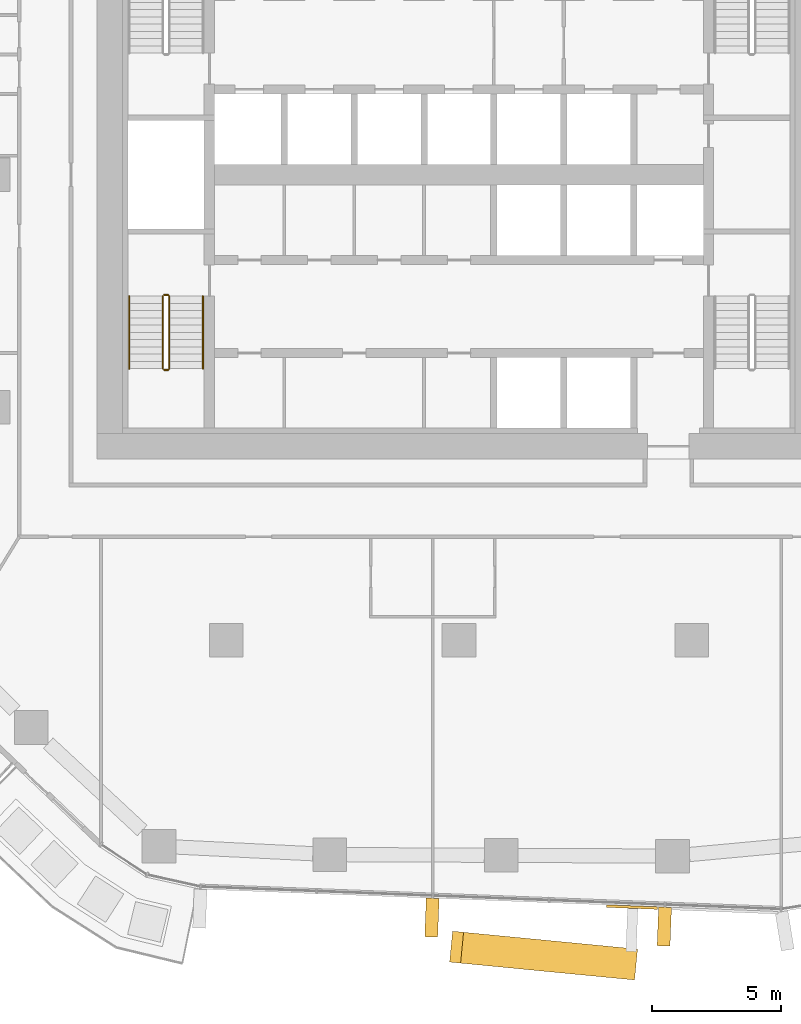
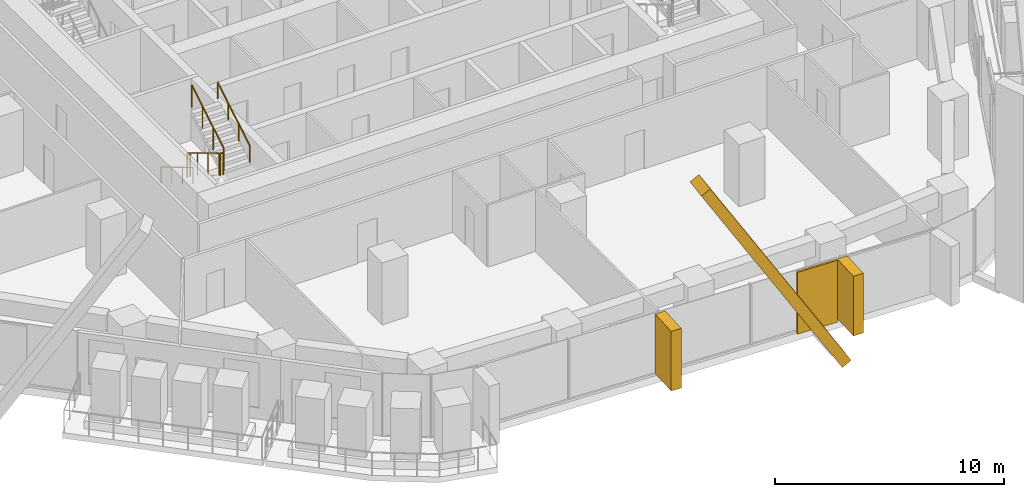
# One storey, part 19 of 24: 6 railings, 4 coverings, 1 element without a shape of its own.
"""IFC4 building model written with IfcOpenShell, lengths in metres."""

from ifc_helpers import new_model, si_unit, direction, frame, origin, origin_2d, place, context, subcontext, project, spatial, rectangle, circle, extrude, material, layer, layer_set, material_profile, profile_set, type_object, element, aggregate, save


model = new_model("IFC4")

# Units and contexts
model_context = context("Model", 3, precision=1e-05, world=origin(), true_north=direction((0.0, 1.0)))
body_context = subcontext(model_context, "Body", "Model", "MODEL_VIEW")
ifc_project = project(units=[si_unit("LENGTHUNIT", "METRE"), si_unit("AREAUNIT", "SQUARE_METRE"), si_unit("VOLUMEUNIT", "CUBIC_METRE"), si_unit("PLANEANGLEUNIT", "RADIAN"), si_unit("MASSUNIT", "GRAM", prefix="KILO")], contexts=[model_context])

# Site, building, storey
site_placement = place(None, origin())
site = spatial("IfcSite", under=ifc_project, at=site_placement, CompositionType="ELEMENT")
building_placement = place(site_placement, origin())
building = spatial("IfcBuilding", under=site, at=building_placement, Name="Dongbaek Canopy Tower", CompositionType="ELEMENT")
storey_placement = place(building_placement, frame((0.0, 0.0, 128.5)))
storey = spatial("IfcBuildingStorey", under=building, at=storey_placement, Name="L28", CompositionType="ELEMENT", Elevation=128.5)

# Curtain wall, coverings
ifc_material_1 = material(Name="Aluminium 6063-T6 pale anodised", Category="aluminium")
ifc_layer_1 = layer(ifc_material_1, 0.199951171875)
ifc_layer_set_1 = layer_set([ifc_layer_1], Name="CW-1 unitised tower curtain wall")
curtain_wall_type = type_object("IfcCurtainWallType", Name="CW-1 unitised tower curtain wall", PredefinedType="NOTDEFINED", material=ifc_layer_set_1)
curtain_wall_placement = place(storey_placement, origin())
curtain_wall = element("IfcCurtainWall", 1, at=curtain_wall_placement, inside=storey, type_object=curtain_wall_type, Name="CW-1 curtain wall F4.1", PredefinedType="NOTDEFINED")
ifc_material_2 = material(Name="Aluminium 6063-T6 pale metal fin", Category="aluminium")
ifc_material_profile_1 = material_profile(ifc_material_2, rectangle(XDim=1.199951171875, YDim=0.5, at=origin_2d()), Name="Crease fin CF1 500 x 1200 pale metal")
ifc_profile_set_1 = profile_set([ifc_material_profile_1], Name="Aluminium 6063-T6 pale metal fin")
covering_type_1 = type_object("IfcCoveringType", Name="Crease fin CF1 500 x 1200 pale metal", PredefinedType="CLADDING", material=ifc_profile_set_1)
covering_1_placement = place(storey_placement, frame((6.635986328125, -30.5224609375, -0.199951171875), z_axis=(-0.517669777658, 0.050140101487, 0.854110046495), x_axis=(-0.096406155014, -0.995342078521, 0.0)))
covering_1 = element("IfcCovering", 2, at=covering_1_placement, type_object=covering_type_1, Name="Crease fin L28 L31 F4", PredefinedType="CLADDING", context=body_context, shape_type="SweptSolid", body=[
    extrude(rectangle(XDim=1.199951171875, YDim=0.5, at=origin_2d()), origin(), (0.0, 0.0, 1.0), 12.995849609375),
])
ifc_material_3 = material(Name="Perforated aluminium 6063-T6 pale metal screen", Category="aluminium")
ifc_layer_2 = layer(ifc_material_3, 0.10009765625)
ifc_layer_set_2 = layer_set([ifc_layer_2], Name="Facet screen FS1 100 pale metal")
covering_type_2 = type_object("IfcCoveringType", Name="Facet screen FS1 100 pale metal", PredefinedType="CLADDING", material=ifc_layer_set_2)
covering_2_placement = place(storey_placement, frame((6.689208984375, -28.3212890625, 0.0), z_axis=(0.0, 0.0, 1.0), x_axis=(0.999255258703, -0.038586629205, 0.0)))
covering_2 = element("IfcCovering", 3, at=covering_2_placement, type_object=covering_type_2, Name="Facet screen L28 F4", PredefinedType="CLADDING", context=body_context, shape_type="SweptSolid", body=[
    extrude(rectangle(XDim=1.97998046875, YDim=0.10009765625, at=origin_2d()), origin(), (0.0, 0.0, 1.0), 3.300048828125),
])
ifc_material_4 = material(Name="Aluminium 6063-T6 pale metal fin", Category="aluminium")
ifc_material_profile_2 = material_profile(ifc_material_4, rectangle(XDim=1.5, YDim=0.5, at=origin_2d()), Name="Fin FN1 500 x 1500 pale metal")
ifc_profile_set_2 = profile_set([ifc_material_profile_2], Name="Aluminium 6063-T6 pale metal fin")
covering_type_3 = type_object("IfcCoveringType", Name="Fin FN1 500 x 1500 pale metal", PredefinedType="CLADDING", material=ifc_profile_set_2)
covering_3_placement = place(storey_placement, frame((-1.043701171875, -28.727294921875, 0.1201171875), z_axis=(0.0, 0.0, 1.0), x_axis=(-0.038587229989, -0.999255235504, 0.0)))
covering_3 = element("IfcCovering", 4, at=covering_3_placement, type_object=covering_type_3, Name="Fin F4.1.3", PredefinedType="CLADDING", context=body_context, shape_type="SweptSolid", body=[
    extrude(rectangle(XDim=1.5, YDim=0.5, at=origin_2d()), origin(), (0.0, 0.0, 1.0), 3.179931640625),
])
covering_4_placement = place(storey_placement, frame((7.941162109375, -29.07421875, 0.1201171875), z_axis=(0.0, 0.0, 1.0), x_axis=(-0.038587229989, -0.999255235504, 0.0)))
covering_4 = element("IfcCovering", 5, at=covering_4_placement, type_object=covering_type_3, Name="Fin F4.1.5", PredefinedType="CLADDING", context=body_context, shape_type="SweptSolid", body=[
    extrude(rectangle(XDim=1.5, YDim=0.5, at=origin_2d()), origin(), (0.0, 0.0, 1.0), 3.179931640625),
])
aggregate(curtain_wall, [covering_3, covering_4, covering_1, covering_2])

# Railings
ifc_material_5 = material(Name="Stainless steel tube and balusters", Category="steel")
railing_type_1 = type_object("IfcRailingType", Name="Stair guard 1200", PredefinedType="GUARDRAIL", material=ifc_material_5)
railing_1_placement = place(storey_placement, frame((-11.449951171875, -4.699951171875, 0.168212890625)))
element("IfcRailing", 6, at=railing_1_placement, inside=storey, type_object=railing_type_1, Name="L28 ST-D stair guard 1", PredefinedType="GUARDRAIL", context=body_context, shape_type="SweptSolid", body=[
    extrude(circle(Radius=0.02392578125, at=origin_2d()), frame((0.0, 0.0, 1.17578125), z_axis=(0.0, -0.857242210791, 0.514913383045), x_axis=(1.0, 0.0, 0.0)), (0.0, 0.0, 1.0), 3.266357421875),
    extrude(circle(Radius=0.02099609375, at=origin_2d()), origin(), (0.0, 0.0, 1.0), 1.15185546875),
    extrude(circle(Radius=0.02099609375, at=origin_2d()), frame((0.0, -0.933349609375, 0.560546875)), (0.0, 0.0, 1.0), 1.15185546875),
    extrude(circle(Radius=0.02099609375, at=origin_2d()), frame((0.0, -1.86669921875, 1.121337890625)), (0.0, 0.0, 1.0), 1.15185546875),
    extrude(circle(Radius=0.02099609375, at=origin_2d()), frame((0.0, -2.800048828125, 1.681884765625)), (0.0, 0.0, 1.0), 1.15185546875),
])
railing_2_placement = place(storey_placement, frame((-11.39990234375, -7.550048828125, 1.85009765625)))
element("IfcRailing", 7, at=railing_2_placement, inside=storey, type_object=railing_type_1, Name="L28 ST-D stair guard 2", PredefinedType="GUARDRAIL", context=body_context, shape_type="SweptSolid", body=[
    extrude(circle(Radius=0.02392578125, at=origin_2d()), frame((0.0, 0.0, 1.17578125), z_axis=(1.0, 0.0, 0.0), x_axis=(0.0, 1.0, 0.0)), (0.0, 0.0, 1.0), 0.14990234375),
    extrude(circle(Radius=0.02099609375, at=origin_2d()), origin(), (0.0, 0.0, 1.0), 1.15185546875),
    extrude(circle(Radius=0.02099609375, at=origin_2d()), frame((0.14990234375, 0.0, 0.0)), (0.0, 0.0, 1.0), 1.15185546875),
])
railing_3_placement = place(storey_placement, frame((-11.199951171875, -7.5, 2.01806640625)))
element("IfcRailing", 8, at=railing_3_placement, inside=storey, type_object=railing_type_1, Name="L28 ST-D stair guard 3", PredefinedType="GUARDRAIL", context=body_context, shape_type="SweptSolid", body=[
    extrude(circle(Radius=0.02392578125, at=origin_2d()), frame((0.0, 0.0, 1.17578125), z_axis=(0.0, 0.857242210791, 0.514913383045), x_axis=(-1.0, 0.0, 0.0)), (0.0, 0.0, 1.0), 3.266357421875),
    extrude(circle(Radius=0.02099609375, at=origin_2d()), origin(), (0.0, 0.0, 1.0), 1.15185546875),
    extrude(circle(Radius=0.02099609375, at=origin_2d()), frame((0.0, 0.933349609375, 0.560546875)), (0.0, 0.0, 1.0), 1.15185546875),
    extrude(circle(Radius=0.02099609375, at=origin_2d()), frame((0.0, 1.86669921875, 1.121337890625)), (0.0, 0.0, 1.0), 1.15185546875),
    extrude(circle(Radius=0.02099609375, at=origin_2d()), frame((0.0, 2.800048828125, 1.681884765625)), (0.0, 0.0, 1.0), 1.15185546875),
])
railing_4_placement = place(storey_placement, frame((-11.39990234375, -4.64990234375, 0.0)))
element("IfcRailing", 9, at=railing_4_placement, inside=storey, type_object=railing_type_1, Name="L28 ST-D stair guard 4", PredefinedType="GUARDRAIL", context=body_context, shape_type="SweptSolid", body=[
    extrude(circle(Radius=0.02392578125, at=origin_2d()), frame((0.0, 0.0, 1.17578125), z_axis=(1.0, 0.0, 0.0), x_axis=(0.0, 1.0, 0.0)), (0.0, 0.0, 1.0), 0.14990234375),
    extrude(circle(Radius=0.02099609375, at=origin_2d()), origin(), (0.0, 0.0, 1.0), 1.15185546875),
    extrude(circle(Radius=0.02099609375, at=origin_2d()), frame((0.14990234375, 0.0, 0.0)), (0.0, 0.0, 1.0), 1.15185546875),
])
ifc_material_6 = material(Name="Stainless steel tube", Category="steel")
railing_type_2 = type_object("IfcRailingType", Name="Stair handrail 900", PredefinedType="HANDRAIL", material=ifc_material_6)
railing_5_placement = place(storey_placement, frame((-12.75, -4.699951171875, 0.168212890625)))
element("IfcRailing", 10, at=railing_5_placement, inside=storey, type_object=railing_type_2, Name="L28 ST-D stair handrail 1", PredefinedType="HANDRAIL", context=body_context, shape_type="SweptSolid", body=[
    extrude(circle(Radius=0.02392578125, at=origin_2d()), frame((0.0, 0.0, 0.8759765625), z_axis=(0.0, -0.857242210791, 0.514913383045), x_axis=(1.0, 0.0, 0.0)), (0.0, 0.0, 1.0), 3.266357421875),
    extrude(circle(Radius=0.02099609375, at=origin_2d()), origin(), (0.0, 0.0, 1.0), 0.851806640625),
    extrude(circle(Radius=0.02099609375, at=origin_2d()), frame((0.0, -0.933349609375, 0.560546875)), (0.0, 0.0, 1.0), 0.851806640625),
    extrude(circle(Radius=0.02099609375, at=origin_2d()), frame((0.0, -1.86669921875, 1.121337890625)), (0.0, 0.0, 1.0), 0.851806640625),
    extrude(circle(Radius=0.02099609375, at=origin_2d()), frame((0.0, -2.800048828125, 1.681884765625)), (0.0, 0.0, 1.0), 0.851806640625),
])
railing_6_placement = place(storey_placement, frame((-9.89990234375, -7.5, 2.01806640625)))
element("IfcRailing", 11, at=railing_6_placement, inside=storey, type_object=railing_type_2, Name="L28 ST-D stair handrail 2", PredefinedType="HANDRAIL", context=body_context, shape_type="SweptSolid", body=[
    extrude(circle(Radius=0.02392578125, at=origin_2d()), frame((0.0, 0.0, 0.8759765625), z_axis=(0.0, 0.857242210791, 0.514913383045), x_axis=(-1.0, 0.0, 0.0)), (0.0, 0.0, 1.0), 3.266357421875),
    extrude(circle(Radius=0.02099609375, at=origin_2d()), origin(), (0.0, 0.0, 1.0), 0.851806640625),
    extrude(circle(Radius=0.02099609375, at=origin_2d()), frame((0.0, 0.933349609375, 0.560546875)), (0.0, 0.0, 1.0), 0.851806640625),
    extrude(circle(Radius=0.02099609375, at=origin_2d()), frame((0.0, 1.86669921875, 1.121337890625)), (0.0, 0.0, 1.0), 0.851806640625),
    extrude(circle(Radius=0.02099609375, at=origin_2d()), frame((0.0, 2.800048828125, 1.681884765625)), (0.0, 0.0, 1.0), 0.851806640625),
])

save(model, "model.ifc")
